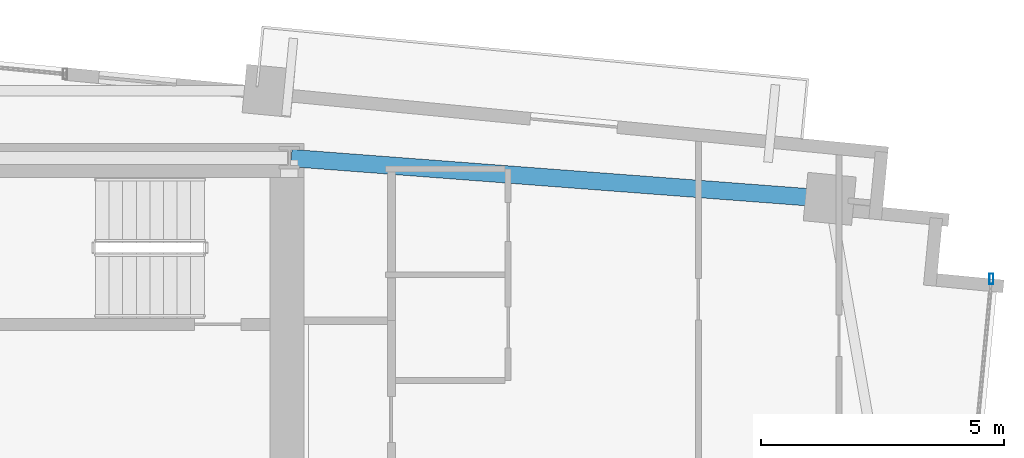
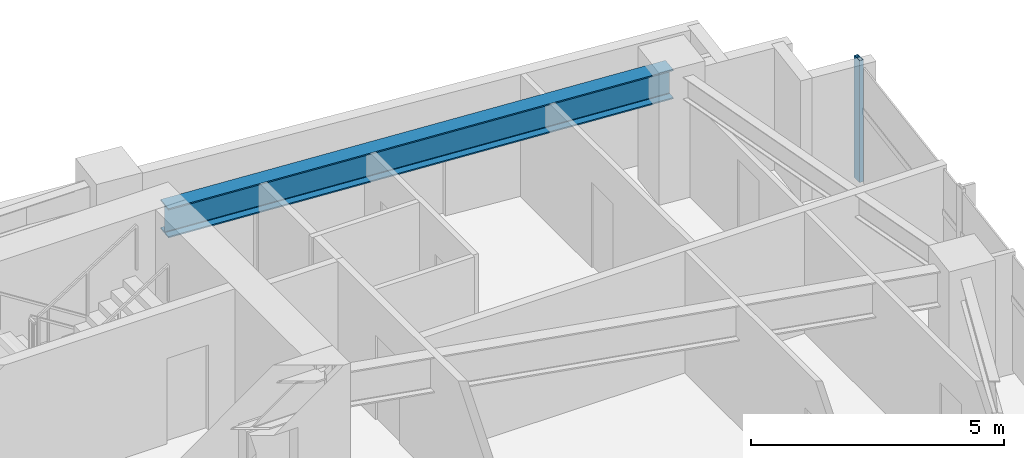
# One storey, part 12 of 19: 1 beam, 1 member, 1 element without a shape of its own.
"""IFC4 building model written with IfcOpenShell, lengths in metres."""

from ifc_helpers import new_model, si_unit, direction, frame, origin, origin_2d, place, context, subcontext, project, spatial, hollow_rectangle, i_section, extrude, source, transform, mapped, material, material_profile, profile_set, type_object, type_shapes, element, aggregate, save


model = new_model("IFC4")

# Units and contexts
model_context = context("Model", 3, precision=1e-05, world=origin(), true_north=direction((0.0, 1.0)))
body_context = subcontext(model_context, "Body", "Model", "MODEL_VIEW")
ifc_project = project(units=[si_unit("LENGTHUNIT", "METRE"), si_unit("AREAUNIT", "SQUARE_METRE"), si_unit("VOLUMEUNIT", "CUBIC_METRE"), si_unit("PLANEANGLEUNIT", "RADIAN"), si_unit("MASSUNIT", "GRAM", prefix="KILO")], contexts=[model_context])

# Site, building, storey
site_placement = place(None, origin())
site = spatial("IfcSite", under=ifc_project, at=site_placement, CompositionType="ELEMENT")
building_placement = place(site_placement, origin())
building = spatial("IfcBuilding", under=site, at=building_placement, Name="Astriad Promenade Condominiums", CompositionType="ELEMENT")
storey_placement = place(building_placement, frame((0.0, 0.0, 140.60009765625)))
storey = spatial("IfcBuildingStorey", under=building, at=storey_placement, Name="L40", CompositionType="ELEMENT", Elevation=140.60009765625)

# Beam
ifc_material_1 = material(Name="Steel ASTM A992 Grade 50", Category="steel")
ifc_material_profile_1 = material_profile(ifc_material_1, i_section(OverallWidth=0.35791015625, OverallDepth=0.706298828125, WebThickness=0.018310546875, FlangeThickness=0.0302734375, FilletRadius=0.020263671875, at=origin_2d()), Name="W27X178")
ifc_profile_set_1 = profile_set([ifc_material_profile_1], Name="Steel ASTM A992 Grade 50")
beam_type = type_object("IfcBeamType", Name="STEEL FLOOR GIRDER W27X178", PredefinedType="BEAM", material=ifc_profile_set_1)
shared_shape_1 = source(origin(), body_context, "Body", "SweptSolid", [
    extrude(i_section(OverallWidth=0.35791015625, OverallDepth=0.706298828125, WebThickness=0.018310546875, FlangeThickness=0.0302734375, FilletRadius=0.020263671875, at=origin_2d()), origin(), (0.0, 0.0, 1.0), 11.0712890625),
])
type_shapes(beam_type, [shared_shape_1])
beam_placement = place(storey_placement, frame((56.679443359375, 23.15966796875, 2.586669921875), z_axis=(-0.997135384808, 0.075637453445, 0.0), x_axis=(-0.075637453445, -0.997135384808, 0.0)))
element("IfcBeam", 1, at=beam_placement, inside=storey, type_object=beam_type, Name="Primary Floor Girder PG-NE-L40", PredefinedType="BEAM", context=body_context, shape_type="MappedRepresentation", body=[
    mapped(shared_shape_1, transform((0.0, 0.0, 0.0), scale=1.0)),
])

# Curtain wall, member
ifc_material_2 = material(Name="Anodised aluminium Black Dark Glass Unitised", Category="aluminium")
curtain_wall_type = type_object("IfcCurtainWallType", Name="CW-B34-DARK", PredefinedType="USERDEFINED", material=ifc_material_2)
curtain_wall_placement = place(storey_placement, origin())
curtain_wall = element("IfcCurtainWall", 2, at=curtain_wall_placement, inside=storey, type_object=curtain_wall_type, Name="CW-L40-E", ObjectType="UNITISED_CURTAIN_WALL", PredefinedType="USERDEFINED")
ifc_material_3 = material(Name="Anodised aluminium 6063-T6 Black", Category="aluminium")
ifc_material_profile_2 = material_profile(ifc_material_3, hollow_rectangle(XDim=0.0849609375, YDim=0.219970703125, WallThickness=0.0048828125, at=origin_2d()), Name="ALU-MUL-85X220")
ifc_profile_set_2 = profile_set([ifc_material_profile_2], Name="Anodised aluminium 6063-T6 Black")
member_type = type_object("IfcMemberType", Name="MUL-ALU-MUL-85X220", PredefinedType="MULLION", material=ifc_profile_set_2)
shared_shape_2 = source(origin(), body_context, "Body", "SweptSolid", [
    extrude(hollow_rectangle(XDim=0.0849609375, YDim=0.219970703125, WallThickness=0.0048828125, at=origin_2d()), origin(), (0.0, 0.0, 1.0), 2.93994140625),
])
type_shapes(member_type, [shared_shape_2])
member_placement = place(storey_placement, frame((60.046875, 21.51025390625, 0.0), z_axis=(0.0, 0.0, 1.0), x_axis=(1.0, 0.0, 0.0)))
member = element("IfcMember", 3, at=member_placement, type_object=member_type, Name="CW-L40-E-MUL-00", PredefinedType="MULLION", context=body_context, shape_type="MappedRepresentation", body=[
    mapped(shared_shape_2, transform((0.0, 0.0, 0.0), scale=1.0)),
])
aggregate(curtain_wall, [member])

save(model, "model.ifc")
